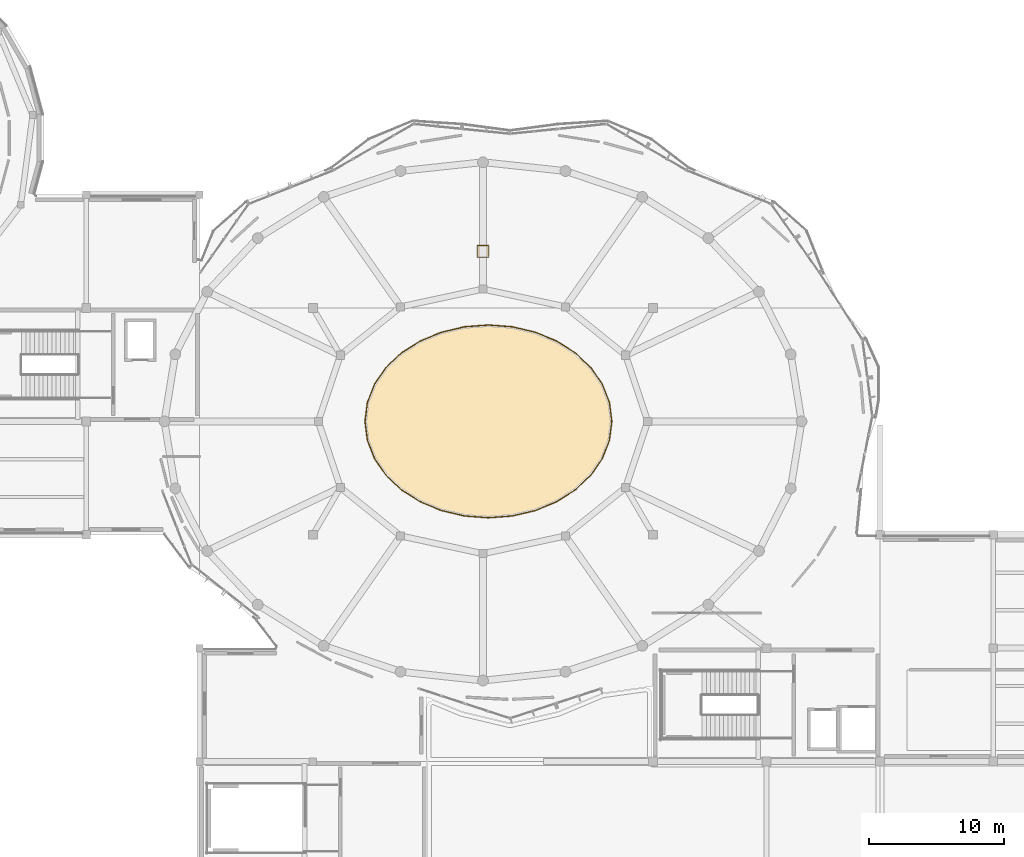
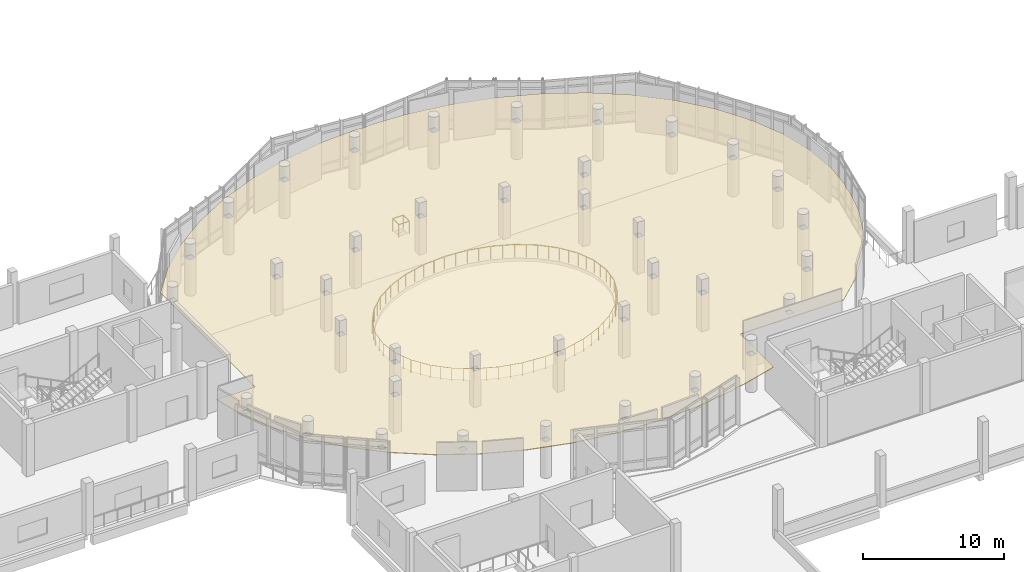
# One storey, part 42 of 46: 2 railings, 1 covering.
"""IFC4 building model written with IfcOpenShell, lengths in metres."""

from ifc_helpers import new_model, si_unit, derived_unit, direction, frame, origin, origin_2d, place, context, subcontext, project, spatial, polyline, circle, outline, extrude, material, layer, layer_set, type_object, element, save


model = new_model("IFC4")

# Units and contexts
model_context = context("Model", 3, precision=1e-05, world=origin(), true_north=direction((0.0, 1.0)))
body_context = subcontext(model_context, "Body", "Model", "MODEL_VIEW")
ifc_project = project(units=[si_unit("LENGTHUNIT", "METRE"), si_unit("AREAUNIT", "SQUARE_METRE"), si_unit("VOLUMEUNIT", "CUBIC_METRE"), si_unit("PLANEANGLEUNIT", "RADIAN"), si_unit("MASSUNIT", "GRAM", prefix="KILO"), derived_unit("THERMALTRANSMITTANCEUNIT", [(si_unit("POWERUNIT", "WATT"), 1), (si_unit("LENGTHUNIT", "METRE"), -2), (si_unit("THERMODYNAMICTEMPERATUREUNIT", "KELVIN"), -1)])], contexts=[model_context])

# Site, building, storey
site_placement = place(None, origin())
site = spatial("IfcSite", under=ifc_project, at=site_placement, CompositionType="ELEMENT")
building_placement = place(site_placement, origin())
building = spatial("IfcBuilding", under=site, at=building_placement, Name="Elbkamm Science Centre", CompositionType="ELEMENT")
storey_placement = place(building_placement, frame((0.0, 0.0, 9.89990234375)))
storey = spatial("IfcBuildingStorey", under=building, at=storey_placement, Name="L02", CompositionType="ELEMENT", Elevation=9.89990234375)

# Covering
ifc_material_1 = material(Name="Micro-perforated acoustic timber ceiling panel", Category="wood")
ifc_layer = layer(ifc_material_1, 0.06005859375)
ifc_layer_set = layer_set([ifc_layer], Name="Micro-perforated acoustic timber ceiling panel")
covering_type = type_object("IfcCoveringType", Name="COV-CEIL-BAFFLE-60", PredefinedType="CEILING", material=ifc_layer_set)
covering_placement = place(storey_placement, frame((0.0, 0.0, 3.070068359375)))
element("IfcCovering", 1, at=covering_placement, inside=storey, type_object=covering_type, Name="L02 Earth and Climate Exhibition Hall Acoustic Ceiling", PredefinedType="CEILING", context=body_context, shape_type="SweptSolid", body=[
    extrude(outline(polyline([(89.160888671875, 75.564697265625), (89.17626953125, 75.5400390625), (89.17724609375, 75.538818359375), (89.19482421875, 75.515625), (89.1953125, 75.514892578125), (89.277587890625, 75.4150390625), (90.288330078125, 73.02880859375), (90.9560546875, 70.337890625), (91.179931640625, 67.60009765625), (90.990966796875, 65.288818359375), (90.871337890625, 64.9501953125), (90.87109375, 64.94921875), (90.861083984375, 64.91650390625), (90.86083984375, 64.91455078125), (90.854248046875, 64.881103515625), (90.85400390625, 64.87939453125), (90.8505859375, 64.845458984375), (90.8505859375, 64.844482421875), (90.826416015625, 64.340087890625), (90.288330078125, 62.171142578125), (89.187744140625, 59.57275390625), (87.673583984375, 57.11181640625), (85.771484375, 54.829833984375), (84.583984375, 53.74462890625), (84.57568359375, 53.73876953125), (84.57421875, 53.7373046875), (84.52685546875, 53.6943359375), (84.525634765625, 53.693115234375), (84.51611328125, 53.6826171875), (83.791015625, 53.02001953125), (75.35009765625, 53.02001953125), (75.347900390625, 53.02001953125), (75.34619140625, 53.01953125), (75.34423828125, 53.01904296875), (75.34228515625, 53.0185546875), (75.340576171875, 53.017578125), (75.3388671875, 53.0166015625), (75.33740234375, 53.015380859375), (75.3359375, 53.01416015625), (75.33447265625, 53.0126953125), (75.33349609375, 53.010986328125), (75.33251953125, 53.009521484375), (75.33154296875, 53.0078125), (75.330810546875, 53.005859375), (75.330322265625, 53.00390625), (75.330078125, 53.001953125), (75.330078125, 53.0), (75.330078125, 48.340087890625), (75.02001953125, 48.217529296875), (72.437744140625, 47.514892578125), (71.79833984375, 47.425048828125), (71.797607421875, 47.425048828125), (71.768310546875, 47.419677734375), (71.7666015625, 47.419189453125), (71.738037109375, 47.411376953125), (71.736328125, 47.410888671875), (71.70849609375, 47.400634765625), (71.70751953125, 47.400390625), (71.41162109375, 47.277099609375), (68.417724609375, 46.799560546875), (65.0, 46.6201171875), (61.582275390625, 46.799560546875), (58.22314453125, 47.335205078125), (54.97998046875, 48.217529296875), (51.908447265625, 49.431640625), (49.06103515625, 50.956787109375), (46.486328125, 52.766357421875), (44.228515625, 54.829833984375), (42.326416015625, 57.11181640625), (40.812255859375, 59.57275390625), (39.711669921875, 62.171142578125), (39.114013671875, 64.580078125), (42.25, 64.580078125), (42.251953125, 64.580078125), (42.25390625, 64.580322265625), (42.255859375, 64.580810546875), (42.2578125, 64.58154296875), (42.259521484375, 64.58251953125), (42.260986328125, 64.58349609375), (42.2626953125, 64.58447265625), (42.26416015625, 64.5859375), (42.265380859375, 64.58740234375), (42.2666015625, 64.5888671875), (42.267578125, 64.590576171875), (42.2685546875, 64.59228515625), (42.26904296875, 64.59423828125), (42.26953125, 64.59619140625), (42.27001953125, 64.597900390625), (42.27001953125, 64.60009765625), (42.27001953125, 77.99658203125), (42.326416015625, 78.08837890625), (44.228515625, 80.3701171875), (46.486328125, 82.43359375), (49.06103515625, 84.243408203125), (51.76220703125, 85.690185546875), (51.885009765625, 85.7470703125), (51.885986328125, 85.74755859375), (51.919921875, 85.765625), (51.921875, 85.766845703125), (51.945556640625, 85.782958984375), (54.97998046875, 86.982421875), (58.22314453125, 87.86474609375), (61.582275390625, 88.400390625), (64.39208984375, 88.548095703125), (64.950927734375, 88.473388671875), (64.951904296875, 88.47314453125), (64.982666015625, 88.470458984375), (64.984619140625, 88.47021484375), (65.015380859375, 88.47021484375), (65.017333984375, 88.470458984375), (65.048095703125, 88.47314453125), (65.049072265625, 88.473388671875), (65.60791015625, 88.548095703125), (68.417724609375, 88.400390625), (71.77685546875, 87.86474609375), (75.02001953125, 86.982421875), (78.054443359375, 85.782958984375), (78.078125, 85.766845703125), (78.080078125, 85.765625), (78.114013671875, 85.74755859375), (78.114990234375, 85.7470703125), (78.23779296875, 85.690185546875), (80.93896484375, 84.243408203125), (83.513671875, 82.43359375), (85.771484375, 80.3701171875), (87.673583984375, 78.08837890625), (88.939697265625, 76.03076171875), (89.14599609375, 75.592529296875), (89.146484375, 75.591796875), (89.159912109375, 75.56591796875), (89.160888671875, 75.564697265625)]), holes=[polyline([(86.3798828125, 66.97998046875), (86.820068359375, 66.97998046875), (86.820068359375, 67.419921875), (86.3798828125, 67.419921875), (86.3798828125, 66.97998046875)]), polyline([(85.575927734375, 72.388916015625), (85.575927734375, 71.948974609375), (86.01611328125, 71.948974609375), (86.01611328125, 72.388916015625), (85.575927734375, 72.388916015625)]), polyline([(83.657958984375, 77.02001953125), (83.218017578125, 77.02001953125), (83.218017578125, 76.580078125), (83.657958984375, 76.580078125), (83.657958984375, 77.02001953125)]), polyline([(79.907958984375, 80.555908203125), (79.907958984375, 80.99609375), (79.468017578125, 80.99609375), (79.468017578125, 80.555908203125), (79.907958984375, 80.555908203125)]), polyline([(74.580078125, 83.60791015625), (75.02001953125, 83.60791015625), (75.02001953125, 84.048095703125), (74.580078125, 84.048095703125), (74.580078125, 83.60791015625)]), polyline([(68.887939453125, 85.966064453125), (68.887939453125, 85.52587890625), (69.327880859375, 85.52587890625), (69.327880859375, 85.966064453125), (68.887939453125, 85.966064453125)]), polyline([(63.219970703125, 86.6201171875), (62.780029296875, 86.6201171875), (62.780029296875, 86.179931640625), (63.219970703125, 86.179931640625), (63.219970703125, 86.6201171875)]), polyline([(57.112060546875, 85.52587890625), (57.112060546875, 85.966064453125), (56.672119140625, 85.966064453125), (56.672119140625, 85.52587890625), (57.112060546875, 85.52587890625)]), polyline([(50.97998046875, 83.60791015625), (51.419921875, 83.60791015625), (51.419921875, 84.048095703125), (50.97998046875, 84.048095703125), (50.97998046875, 83.60791015625)]), polyline([(46.092041015625, 80.99609375), (46.092041015625, 80.555908203125), (46.531982421875, 80.555908203125), (46.531982421875, 80.99609375), (46.092041015625, 80.99609375)]), polyline([(42.781982421875, 77.02001953125), (42.342041015625, 77.02001953125), (42.342041015625, 76.580078125), (42.781982421875, 76.580078125), (42.781982421875, 77.02001953125)]), polyline([(39.98388671875, 62.450927734375), (39.98388671875, 62.010986328125), (40.424072265625, 62.010986328125), (40.424072265625, 62.450927734375), (39.98388671875, 62.450927734375)]), polyline([(42.781982421875, 57.820068359375), (42.342041015625, 57.820068359375), (42.342041015625, 57.3798828125), (42.781982421875, 57.3798828125), (42.781982421875, 57.820068359375)]), polyline([(46.531982421875, 53.404052734375), (46.531982421875, 53.843994140625), (46.092041015625, 53.843994140625), (46.092041015625, 53.404052734375), (46.531982421875, 53.404052734375)]), polyline([(50.97998046875, 50.35205078125), (51.419921875, 50.35205078125), (51.419921875, 50.7919921875), (50.97998046875, 50.7919921875), (50.97998046875, 50.35205078125)]), polyline([(56.672119140625, 48.8740234375), (56.672119140625, 48.43408203125), (57.112060546875, 48.43408203125), (57.112060546875, 48.8740234375), (56.672119140625, 48.8740234375)]), polyline([(63.219970703125, 48.219970703125), (62.780029296875, 48.219970703125), (62.780029296875, 47.780029296875), (63.219970703125, 47.780029296875), (63.219970703125, 48.219970703125)]), polyline([(69.327880859375, 48.43408203125), (69.327880859375, 48.8740234375), (68.887939453125, 48.8740234375), (68.887939453125, 48.43408203125), (69.327880859375, 48.43408203125)]), polyline([(74.580078125, 50.35205078125), (75.02001953125, 50.35205078125), (75.02001953125, 50.7919921875), (74.580078125, 50.7919921875), (74.580078125, 50.35205078125)]), polyline([(79.468017578125, 53.843994140625), (79.468017578125, 53.404052734375), (79.907958984375, 53.404052734375), (79.907958984375, 53.843994140625), (79.468017578125, 53.843994140625)]), polyline([(83.657958984375, 57.820068359375), (83.218017578125, 57.820068359375), (83.218017578125, 57.3798828125), (83.657958984375, 57.3798828125), (83.657958984375, 57.820068359375)]), polyline([(86.01611328125, 62.010986328125), (86.01611328125, 62.450927734375), (85.575927734375, 62.450927734375), (85.575927734375, 62.010986328125), (86.01611328125, 62.010986328125)]), polyline([(74.97998046875, 66.97998046875), (75.419921875, 66.97998046875), (75.419921875, 67.419921875), (74.97998046875, 67.419921875), (74.97998046875, 66.97998046875)]), polyline([(73.345947265625, 72.320068359375), (73.345947265625, 71.8798828125), (73.785888671875, 71.8798828125), (73.785888671875, 72.320068359375), (73.345947265625, 72.320068359375)]), polyline([(69.320068359375, 75.906982421875), (68.8798828125, 75.906982421875), (68.8798828125, 75.467041015625), (69.320068359375, 75.467041015625), (69.320068359375, 75.906982421875)]), polyline([(63.219970703125, 76.780029296875), (63.219970703125, 77.219970703125), (62.780029296875, 77.219970703125), (62.780029296875, 76.780029296875), (63.219970703125, 76.780029296875)]), polyline([(56.679931640625, 75.467041015625), (57.1201171875, 75.467041015625), (57.1201171875, 75.906982421875), (56.679931640625, 75.906982421875), (56.679931640625, 75.467041015625)]), polyline([(52.214111328125, 72.320068359375), (52.214111328125, 71.8798828125), (52.654052734375, 71.8798828125), (52.654052734375, 72.320068359375), (52.214111328125, 72.320068359375)]), polyline([(51.02001953125, 67.419921875), (50.580078125, 67.419921875), (50.580078125, 66.97998046875), (51.02001953125, 66.97998046875), (51.02001953125, 67.419921875)]), polyline([(52.654052734375, 62.080078125), (52.654052734375, 62.52001953125), (52.214111328125, 62.52001953125), (52.214111328125, 62.080078125), (52.654052734375, 62.080078125)]), polyline([(56.679931640625, 58.492919921875), (57.1201171875, 58.492919921875), (57.1201171875, 58.93310546875), (56.679931640625, 58.93310546875), (56.679931640625, 58.492919921875)]), polyline([(62.780029296875, 57.6201171875), (62.780029296875, 57.179931640625), (63.219970703125, 57.179931640625), (63.219970703125, 57.6201171875), (62.780029296875, 57.6201171875)]), polyline([(69.320068359375, 58.93310546875), (68.8798828125, 58.93310546875), (68.8798828125, 58.492919921875), (69.320068359375, 58.492919921875), (69.320068359375, 58.93310546875)]), polyline([(73.785888671875, 62.080078125), (73.785888671875, 62.52001953125), (73.345947265625, 62.52001953125), (73.345947265625, 62.080078125), (73.785888671875, 62.080078125)]), polyline([(50.179931640625, 58.580078125), (50.6201171875, 58.580078125), (50.6201171875, 59.02001953125), (50.179931640625, 59.02001953125), (50.179931640625, 58.580078125)]), polyline([(50.179931640625, 75.820068359375), (50.179931640625, 75.3798828125), (50.6201171875, 75.3798828125), (50.6201171875, 75.820068359375), (50.179931640625, 75.820068359375)]), polyline([(75.3798828125, 58.580078125), (75.820068359375, 58.580078125), (75.820068359375, 59.02001953125), (75.3798828125, 59.02001953125), (75.3798828125, 58.580078125)]), polyline([(75.3798828125, 75.820068359375), (75.3798828125, 75.3798828125), (75.820068359375, 75.3798828125), (75.820068359375, 75.820068359375), (75.3798828125, 75.820068359375)])]), origin(), (0.0, 0.0, 1.0), 0.06005859375),
])

# Railings
ifc_material_2 = material(Name="Stainless steel EN 1.4401", Category="steel")
railing_type = type_object("IfcRailingType", Name="RAIL-GUARD-1100", PredefinedType="GUARDRAIL", material=ifc_material_2)
railing_1_placement = place(storey_placement, frame((62.570068359375, 79.3701171875, 0.0)))
element("IfcRailing", 2, at=railing_1_placement, inside=storey, type_object=railing_type, Name="L02 Service Riser Opening Guardrail 015", PredefinedType="GUARDRAIL", context=body_context, shape_type="SweptSolid", body=[
    extrude(circle(Radius=0.02392578125, at=origin_2d()), frame((0.0, 0.0, 1.078125), z_axis=(1.0, 0.0, 0.0), x_axis=(0.0, 1.0, 0.0)), (0.0, 0.0, 1.0), 0.829833984375),
    extrude(circle(Radius=0.02392578125, at=origin_2d()), frame((0.85986328125, 0.030029296875, 1.078125), z_axis=(0.0, 1.0, 0.0), x_axis=(-1.0, 0.0, 0.0)), (0.0, 0.0, 1.0), 0.7998046875),
    extrude(circle(Radius=0.02392578125, at=origin_2d()), frame((0.829833984375, 0.85986328125, 1.078125), z_axis=(-1.0, 0.0, 0.0), x_axis=(0.0, -1.0, 0.0)), (0.0, 0.0, 1.0), 0.7998046875),
    extrude(circle(Radius=0.02392578125, at=origin_2d()), frame((0.0, 0.829833984375, 1.078125), z_axis=(0.0, -1.0, 0.0), x_axis=(1.0, 0.0, 0.0)), (0.0, 0.0, 1.0), 0.829833984375),
    extrude(circle(Radius=0.02001953125, at=origin_2d()), origin(), (0.0, 0.0, 1.0), 1.048095703125),
    extrude(circle(Radius=0.02001953125, at=origin_2d()), frame((0.85986328125, 0.0, 0.0)), (0.0, 0.0, 1.0), 1.048095703125),
    extrude(circle(Radius=0.02001953125, at=origin_2d()), frame((0.85986328125, 0.85986328125, 0.0)), (0.0, 0.0, 1.0), 1.048095703125),
    extrude(circle(Radius=0.02001953125, at=origin_2d()), frame((0.0, 0.85986328125, 0.0)), (0.0, 0.0, 1.0), 1.048095703125),
])
railing_2_placement = place(storey_placement, frame((54.960693359375, 64.455078125, 0.0)))
element("IfcRailing", 3, at=railing_2_placement, inside=storey, type_object=railing_type, Name="L02 Elliptical Atrium Void Guardrail", PredefinedType="GUARDRAIL", context=body_context, shape_type="SweptSolid", body=[
    extrude(circle(Radius=0.02392578125, at=origin_2d()), frame((0.0, 0.0, 1.078125), z_axis=(-0.363384922787, 0.93163909208, 0.0), x_axis=(-0.93163909208, -0.363384922787, 0.0)), (0.0, 0.0, 1.0), 1.4130859375),
    extrude(circle(Radius=0.02392578125, at=origin_2d()), frame((-0.528076171875, 1.374267578125, 1.078125), z_axis=(-0.125737482601, 0.992063549108, 0.0), x_axis=(-0.992063549108, -0.125737482601, 0.0)), (0.0, 0.0, 1.0), 1.3515625),
    extrude(circle(Radius=0.02392578125, at=origin_2d()), frame((-0.6982421875, 2.774658203125, 1.078125), z_axis=(0.125737482601, 0.992063549108, 0.0), x_axis=(-0.992063549108, 0.125737482601, 0.0)), (0.0, 0.0, 1.0), 1.3515625),
    extrude(circle(Radius=0.02392578125, at=origin_2d()), frame((-0.513427734375, 4.173095703125, 1.078125), z_axis=(0.363384922787, 0.93163909208, 0.0), x_axis=(-0.93163909208, 0.363384922787, 0.0)), (0.0, 0.0, 1.0), 1.383056640625),
    extrude(circle(Radius=0.02392578125, at=origin_2d()), frame((0.01708984375, 5.514404296875, 1.078125), z_axis=(0.566369856312, 0.824151191142, 0.0), x_axis=(-0.824151191142, 0.566369856312, 0.0)), (0.0, 0.0, 1.0), 1.439208984375),
    extrude(circle(Radius=0.02392578125, at=origin_2d()), frame((0.870849609375, 6.74609375, 1.078125), z_axis=(0.725821923964, 0.687882646019, 0.0), x_axis=(-0.687882646019, 0.725821923964, 0.0)), (0.0, 0.0, 1.0), 1.51025390625),
    extrude(circle(Radius=0.02392578125, at=origin_2d()), frame((2.01416015625, 7.821533203125, 1.078125), z_axis=(0.842877778274, 0.538105055628, 0.0), x_axis=(-0.538105055628, 0.842877778274, 0.0)), (0.0, 0.0, 1.0), 1.583740234375),
    extrude(circle(Radius=0.02392578125, at=origin_2d()), frame((3.40185546875, 8.701416015625, 1.078125), z_axis=(0.923406348221, 0.383823808623, 0.0), x_axis=(-0.383823808623, 0.923406348221, 0.0)), (0.0, 0.0, 1.0), 1.6484375),
    extrude(circle(Radius=0.02392578125, at=origin_2d()), frame((4.981201171875, 9.3525390625, 1.078125), z_axis=(0.973269371752, 0.22966656267, 0.0), x_axis=(-0.22966656267, 0.973269371752, 0.0)), (0.0, 0.0, 1.0), 1.697265625),
    extrude(circle(Radius=0.02392578125, at=origin_2d()), frame((6.692138671875, 9.75146484375, 1.078125), z_axis=(0.997085025338, 0.076298441972, 0.0), x_axis=(-0.076298441972, 0.997085025338, 0.0)), (0.0, 0.0, 1.0), 1.722412109375),
    extrude(circle(Radius=0.02392578125, at=origin_2d()), frame((8.46923828125, 9.883056640625, 1.078125), z_axis=(0.997085822603, -0.076288022416, 0.0), x_axis=(0.076288022416, 0.997085822603, 0.0)), (0.0, 0.0, 1.0), 1.72265625),
    extrude(circle(Radius=0.02392578125, at=origin_2d()), frame((10.245849609375, 9.742431640625, 1.078125), z_axis=(0.973269371752, -0.22966656267, 0.0), x_axis=(0.22966656267, 0.973269371752, 0.0)), (0.0, 0.0, 1.0), 1.697265625),
    extrude(circle(Radius=0.02392578125, at=origin_2d()), frame((11.954345703125, 9.334228515625, 1.078125), z_axis=(0.923406348221, -0.383823808623, 0.0), x_axis=(0.383823808623, 0.923406348221, 0.0)), (0.0, 0.0, 1.0), 1.6484375),
    extrude(circle(Radius=0.02392578125, at=origin_2d()), frame((13.52978515625, 8.673828125, 1.078125), z_axis=(0.842877778274, -0.538105055628, 0.0), x_axis=(0.538105055628, 0.842877778274, 0.0)), (0.0, 0.0, 1.0), 1.583740234375),
    extrude(circle(Radius=0.02392578125, at=origin_2d()), frame((14.91162109375, 7.78466796875, 1.078125), z_axis=(0.725821923964, -0.687882646019, 0.0), x_axis=(0.687882646019, 0.725821923964, 0.0)), (0.0, 0.0, 1.0), 1.51025390625),
    extrude(circle(Radius=0.02392578125, at=origin_2d()), frame((16.046630859375, 6.70068359375, 1.078125), z_axis=(0.566369856312, -0.824151191142, 0.0), x_axis=(0.824151191142, 0.566369856312, 0.0)), (0.0, 0.0, 1.0), 1.439208984375),
    extrude(circle(Radius=0.02392578125, at=origin_2d()), frame((16.8896484375, 5.4619140625, 1.078125), z_axis=(0.363384922787, -0.93163909208, 0.0), x_axis=(0.93163909208, 0.363384922787, 0.0)), (0.0, 0.0, 1.0), 1.383056640625),
    extrude(circle(Radius=0.02392578125, at=origin_2d()), frame((17.40673828125, 4.115478515625, 1.078125), z_axis=(0.125567257541, -0.992085109168, 0.0), x_axis=(0.992085109168, 0.125567257541, 0.0)), (0.0, 0.0, 1.0), 1.3515625),
    extrude(circle(Radius=0.02392578125, at=origin_2d()), frame((17.57666015625, 2.715087890625, 1.078125), z_axis=(-0.125567257541, -0.992085109168, 0.0), x_axis=(0.992085109168, -0.125567257541, 0.0)), (0.0, 0.0, 1.0), 1.3515625),
    extrude(circle(Radius=0.02392578125, at=origin_2d()), frame((17.39208984375, 1.316650390625, 1.078125), z_axis=(-0.363384922787, -0.93163909208, 0.0), x_axis=(0.93163909208, -0.363384922787, 0.0)), (0.0, 0.0, 1.0), 1.383056640625),
    extrude(circle(Radius=0.02392578125, at=origin_2d()), frame((16.861572265625, -0.024658203125, 1.078125), z_axis=(-0.566369856312, -0.824151191142, 0.0), x_axis=(0.824151191142, -0.566369856312, 0.0)), (0.0, 0.0, 1.0), 1.439208984375),
    extrude(circle(Radius=0.02392578125, at=origin_2d()), frame((16.0078125, -1.25634765625, 1.078125), z_axis=(-0.725821923964, -0.687882646019, 0.0), x_axis=(0.687882646019, -0.725821923964, 0.0)), (0.0, 0.0, 1.0), 1.51025390625),
    extrude(circle(Radius=0.02392578125, at=origin_2d()), frame((14.864501953125, -2.331787109375, 1.078125), z_axis=(-0.842945141447, -0.537999524638, 0.0), x_axis=(0.537999524638, -0.842945141447, 0.0)), (0.0, 0.0, 1.0), 1.583740234375),
    extrude(circle(Radius=0.02392578125, at=origin_2d()), frame((13.476806640625, -3.21142578125, 1.078125), z_axis=(-0.923355696317, -0.383945644693, 0.0), x_axis=(0.383945644693, -0.923355696317, 0.0)), (0.0, 0.0, 1.0), 1.648681640625),
    extrude(circle(Radius=0.02392578125, at=origin_2d()), frame((11.8974609375, -3.86279296875, 1.078125), z_axis=(-0.973300420575, -0.229534945723, 0.0), x_axis=(0.229534945723, -0.973300420575, 0.0)), (0.0, 0.0, 1.0), 1.697021484375),
    extrude(circle(Radius=0.02392578125, at=origin_2d()), frame((10.1865234375, -4.261474609375, 1.078125), z_axis=(-0.997075395278, -0.076424185517, 0.0), x_axis=(0.076424185517, -0.997075395278, 0.0)), (0.0, 0.0, 1.0), 1.72265625),
    extrude(circle(Radius=0.02392578125, at=origin_2d()), frame((8.4091796875, -4.393310546875, 1.078125), z_axis=(-0.997074595172, 0.076434623452, 0.0), x_axis=(-0.076434623452, -0.997074595172, 0.0)), (0.0, 0.0, 1.0), 1.722412109375),
    extrude(circle(Radius=0.02392578125, at=origin_2d()), frame((6.6328125, -4.25244140625, 1.078125), z_axis=(-0.973300420575, 0.229534945723, 0.0), x_axis=(-0.229534945723, -0.973300420575, 0.0)), (0.0, 0.0, 1.0), 1.697021484375),
    extrude(circle(Radius=0.02392578125, at=origin_2d()), frame((4.92431640625, -3.844482421875, 1.078125), z_axis=(-0.923355696317, 0.383945644693, 0.0), x_axis=(-0.383945644693, -0.923355696317, 0.0)), (0.0, 0.0, 1.0), 1.648681640625),
    extrude(circle(Radius=0.02392578125, at=origin_2d()), frame((3.348876953125, -3.183837890625, 1.078125), z_axis=(-0.842945141447, 0.537999524638, 0.0), x_axis=(-0.537999524638, -0.842945141447, 0.0)), (0.0, 0.0, 1.0), 1.583740234375),
    extrude(circle(Radius=0.02392578125, at=origin_2d()), frame((1.967041015625, -2.294921875, 1.078125), z_axis=(-0.725821923964, 0.687882646019, 0.0), x_axis=(-0.687882646019, -0.725821923964, 0.0)), (0.0, 0.0, 1.0), 1.51025390625),
    extrude(circle(Radius=0.02392578125, at=origin_2d()), frame((0.83203125, -1.2109375, 1.078125), z_axis=(-0.566369856312, 0.824151191142, 0.0), x_axis=(-0.824151191142, -0.566369856312, 0.0)), (0.0, 0.0, 1.0), 1.46923828125),
    extrude(circle(Radius=0.02001953125, at=origin_2d()), origin(), (0.0, 0.0, 1.0), 1.048095703125),
    extrude(circle(Radius=0.02001953125, at=origin_2d()), frame((-0.26220703125, 0.67236328125, 0.0)), (0.0, 0.0, 1.0), 1.048095703125),
    extrude(circle(Radius=0.02001953125, at=origin_2d()), frame((-0.5244140625, 1.344482421875, 0.0)), (0.0, 0.0, 1.0), 1.048095703125),
    extrude(circle(Radius=0.02001953125, at=origin_2d()), frame((-0.61328125, 2.044677734375, 0.0)), (0.0, 0.0, 1.0), 1.048095703125),
    extrude(circle(Radius=0.02001953125, at=origin_2d()), frame((-0.701904296875, 2.744873046875, 0.0)), (0.0, 0.0, 1.0), 1.048095703125),
    extrude(circle(Radius=0.02001953125, at=origin_2d()), frame((-0.61328125, 3.445068359375, 0.0)), (0.0, 0.0, 1.0), 1.048095703125),
    extrude(circle(Radius=0.02001953125, at=origin_2d()), frame((-0.5244140625, 4.145263671875, 0.0)), (0.0, 0.0, 1.0), 1.048095703125),
    extrude(circle(Radius=0.02001953125, at=origin_2d()), frame((-0.26220703125, 4.8173828125, 0.0)), (0.0, 0.0, 1.0), 1.048095703125),
    extrude(circle(Radius=0.02001953125, at=origin_2d()), frame((0.0, 5.48974609375, 0.0)), (0.0, 0.0, 1.0), 1.048095703125),
    extrude(circle(Radius=0.02001953125, at=origin_2d()), frame((0.424560546875, 6.107421875, 0.0)), (0.0, 0.0, 1.0), 1.048095703125),
    extrude(circle(Radius=0.02001953125, at=origin_2d()), frame((0.84912109375, 6.725341796875, 0.0)), (0.0, 0.0, 1.0), 1.048095703125),
    extrude(circle(Radius=0.02001953125, at=origin_2d()), frame((1.4189453125, 7.265380859375, 0.0)), (0.0, 0.0, 1.0), 1.048095703125),
    extrude(circle(Radius=0.02001953125, at=origin_2d()), frame((1.98876953125, 7.805419921875, 0.0)), (0.0, 0.0, 1.0), 1.048095703125),
    extrude(circle(Radius=0.02001953125, at=origin_2d()), frame((2.681640625, 8.24755859375, 0.0)), (0.0, 0.0, 1.0), 1.048095703125),
    extrude(circle(Radius=0.02001953125, at=origin_2d()), frame((3.374267578125, 8.68994140625, 0.0)), (0.0, 0.0, 1.0), 1.048095703125),
    extrude(circle(Radius=0.02001953125, at=origin_2d()), frame((4.1630859375, 9.017822265625, 0.0)), (0.0, 0.0, 1.0), 1.048095703125),
    extrude(circle(Radius=0.02001953125, at=origin_2d()), frame((4.951904296875, 9.345703125, 0.0)), (0.0, 0.0, 1.0), 1.048095703125),
    extrude(circle(Radius=0.02001953125, at=origin_2d()), frame((5.80712890625, 9.54736328125, 0.0)), (0.0, 0.0, 1.0), 1.048095703125),
    extrude(circle(Radius=0.02001953125, at=origin_2d()), frame((6.662109375, 9.749267578125, 0.0)), (0.0, 0.0, 1.0), 1.048095703125),
    extrude(circle(Radius=0.02001953125, at=origin_2d()), frame((7.55078125, 9.8173828125, 0.0)), (0.0, 0.0, 1.0), 1.048095703125),
    extrude(circle(Radius=0.02001953125, at=origin_2d()), frame((8.439208984375, 9.88525390625, 0.0)), (0.0, 0.0, 1.0), 1.048095703125),
    extrude(circle(Radius=0.02001953125, at=origin_2d()), frame((9.327880859375, 9.8173828125, 0.0)), (0.0, 0.0, 1.0), 1.048095703125),
    extrude(circle(Radius=0.02001953125, at=origin_2d()), frame((10.216552734375, 9.749267578125, 0.0)), (0.0, 0.0, 1.0), 1.048095703125),
    extrude(circle(Radius=0.02001953125, at=origin_2d()), frame((11.07177734375, 9.54736328125, 0.0)), (0.0, 0.0, 1.0), 1.048095703125),
    extrude(circle(Radius=0.02001953125, at=origin_2d()), frame((11.9267578125, 9.345703125, 0.0)), (0.0, 0.0, 1.0), 1.048095703125),
    extrude(circle(Radius=0.02001953125, at=origin_2d()), frame((12.715576171875, 9.017822265625, 0.0)), (0.0, 0.0, 1.0), 1.048095703125),
    extrude(circle(Radius=0.02001953125, at=origin_2d()), frame((13.50439453125, 8.68994140625, 0.0)), (0.0, 0.0, 1.0), 1.048095703125),
    extrude(circle(Radius=0.02001953125, at=origin_2d()), frame((14.197265625, 8.24755859375, 0.0)), (0.0, 0.0, 1.0), 1.048095703125),
    extrude(circle(Radius=0.02001953125, at=origin_2d()), frame((14.889892578125, 7.805419921875, 0.0)), (0.0, 0.0, 1.0), 1.048095703125),
    extrude(circle(Radius=0.02001953125, at=origin_2d()), frame((15.459716796875, 7.265380859375, 0.0)), (0.0, 0.0, 1.0), 1.048095703125),
    extrude(circle(Radius=0.02001953125, at=origin_2d()), frame((16.029541015625, 6.725341796875, 0.0)), (0.0, 0.0, 1.0), 1.048095703125),
    extrude(circle(Radius=0.02001953125, at=origin_2d()), frame((16.4541015625, 6.107421875, 0.0)), (0.0, 0.0, 1.0), 1.048095703125),
    extrude(circle(Radius=0.02001953125, at=origin_2d()), frame((16.878662109375, 5.48974609375, 0.0)), (0.0, 0.0, 1.0), 1.048095703125),
    extrude(circle(Radius=0.02001953125, at=origin_2d()), frame((17.140869140625, 4.8173828125, 0.0)), (0.0, 0.0, 1.0), 1.048095703125),
    extrude(circle(Radius=0.02001953125, at=origin_2d()), frame((17.403076171875, 4.145263671875, 0.0)), (0.0, 0.0, 1.0), 1.048095703125),
    extrude(circle(Radius=0.02001953125, at=origin_2d()), frame((17.49169921875, 3.445068359375, 0.0)), (0.0, 0.0, 1.0), 1.048095703125),
    extrude(circle(Radius=0.02001953125, at=origin_2d()), frame((17.580322265625, 2.744873046875, 0.0)), (0.0, 0.0, 1.0), 1.048095703125),
    extrude(circle(Radius=0.02001953125, at=origin_2d()), frame((17.49169921875, 2.044677734375, 0.0)), (0.0, 0.0, 1.0), 1.048095703125),
    extrude(circle(Radius=0.02001953125, at=origin_2d()), frame((17.403076171875, 1.344482421875, 0.0)), (0.0, 0.0, 1.0), 1.048095703125),
    extrude(circle(Radius=0.02001953125, at=origin_2d()), frame((17.140869140625, 0.67236328125, 0.0)), (0.0, 0.0, 1.0), 1.048095703125),
    extrude(circle(Radius=0.02001953125, at=origin_2d()), frame((16.878662109375, 0.0, 0.0)), (0.0, 0.0, 1.0), 1.048095703125),
    extrude(circle(Radius=0.02001953125, at=origin_2d()), frame((16.4541015625, -0.61767578125, 0.0)), (0.0, 0.0, 1.0), 1.048095703125),
    extrude(circle(Radius=0.02001953125, at=origin_2d()), frame((16.029541015625, -1.235595703125, 0.0)), (0.0, 0.0, 1.0), 1.048095703125),
    extrude(circle(Radius=0.02001953125, at=origin_2d()), frame((15.459716796875, -1.775634765625, 0.0)), (0.0, 0.0, 1.0), 1.048095703125),
    extrude(circle(Radius=0.02001953125, at=origin_2d()), frame((14.889892578125, -2.315673828125, 0.0)), (0.0, 0.0, 1.0), 1.048095703125),
    extrude(circle(Radius=0.02001953125, at=origin_2d()), frame((14.197265625, -2.7578125, 0.0)), (0.0, 0.0, 1.0), 1.048095703125),
    extrude(circle(Radius=0.02001953125, at=origin_2d()), frame((13.50439453125, -3.199951171875, 0.0)), (0.0, 0.0, 1.0), 1.048095703125),
    extrude(circle(Radius=0.02001953125, at=origin_2d()), frame((12.715576171875, -3.52783203125, 0.0)), (0.0, 0.0, 1.0), 1.048095703125),
    extrude(circle(Radius=0.02001953125, at=origin_2d()), frame((11.9267578125, -3.85595703125, 0.0)), (0.0, 0.0, 1.0), 1.048095703125),
    extrude(circle(Radius=0.02001953125, at=origin_2d()), frame((11.07177734375, -4.0576171875, 0.0)), (0.0, 0.0, 1.0), 1.048095703125),
    extrude(circle(Radius=0.02001953125, at=origin_2d()), frame((10.216552734375, -4.25927734375, 0.0)), (0.0, 0.0, 1.0), 1.048095703125),
    extrude(circle(Radius=0.02001953125, at=origin_2d()), frame((9.327880859375, -4.327392578125, 0.0)), (0.0, 0.0, 1.0), 1.048095703125),
    extrude(circle(Radius=0.02001953125, at=origin_2d()), frame((8.439208984375, -4.3955078125, 0.0)), (0.0, 0.0, 1.0), 1.048095703125),
    extrude(circle(Radius=0.02001953125, at=origin_2d()), frame((7.55078125, -4.327392578125, 0.0)), (0.0, 0.0, 1.0), 1.048095703125),
    extrude(circle(Radius=0.02001953125, at=origin_2d()), frame((6.662109375, -4.25927734375, 0.0)), (0.0, 0.0, 1.0), 1.048095703125),
    extrude(circle(Radius=0.02001953125, at=origin_2d()), frame((5.80712890625, -4.0576171875, 0.0)), (0.0, 0.0, 1.0), 1.048095703125),
    extrude(circle(Radius=0.02001953125, at=origin_2d()), frame((4.951904296875, -3.85595703125, 0.0)), (0.0, 0.0, 1.0), 1.048095703125),
    extrude(circle(Radius=0.02001953125, at=origin_2d()), frame((4.1630859375, -3.52783203125, 0.0)), (0.0, 0.0, 1.0), 1.048095703125),
    extrude(circle(Radius=0.02001953125, at=origin_2d()), frame((3.374267578125, -3.199951171875, 0.0)), (0.0, 0.0, 1.0), 1.048095703125),
    extrude(circle(Radius=0.02001953125, at=origin_2d()), frame((2.681640625, -2.7578125, 0.0)), (0.0, 0.0, 1.0), 1.048095703125),
    extrude(circle(Radius=0.02001953125, at=origin_2d()), frame((1.98876953125, -2.315673828125, 0.0)), (0.0, 0.0, 1.0), 1.048095703125),
    extrude(circle(Radius=0.02001953125, at=origin_2d()), frame((1.4189453125, -1.775634765625, 0.0)), (0.0, 0.0, 1.0), 1.048095703125),
    extrude(circle(Radius=0.02001953125, at=origin_2d()), frame((0.84912109375, -1.235595703125, 0.0)), (0.0, 0.0, 1.0), 1.048095703125),
    extrude(circle(Radius=0.02001953125, at=origin_2d()), frame((0.424560546875, -0.61767578125, 0.0)), (0.0, 0.0, 1.0), 1.048095703125),
])

save(model, "model.ifc")
